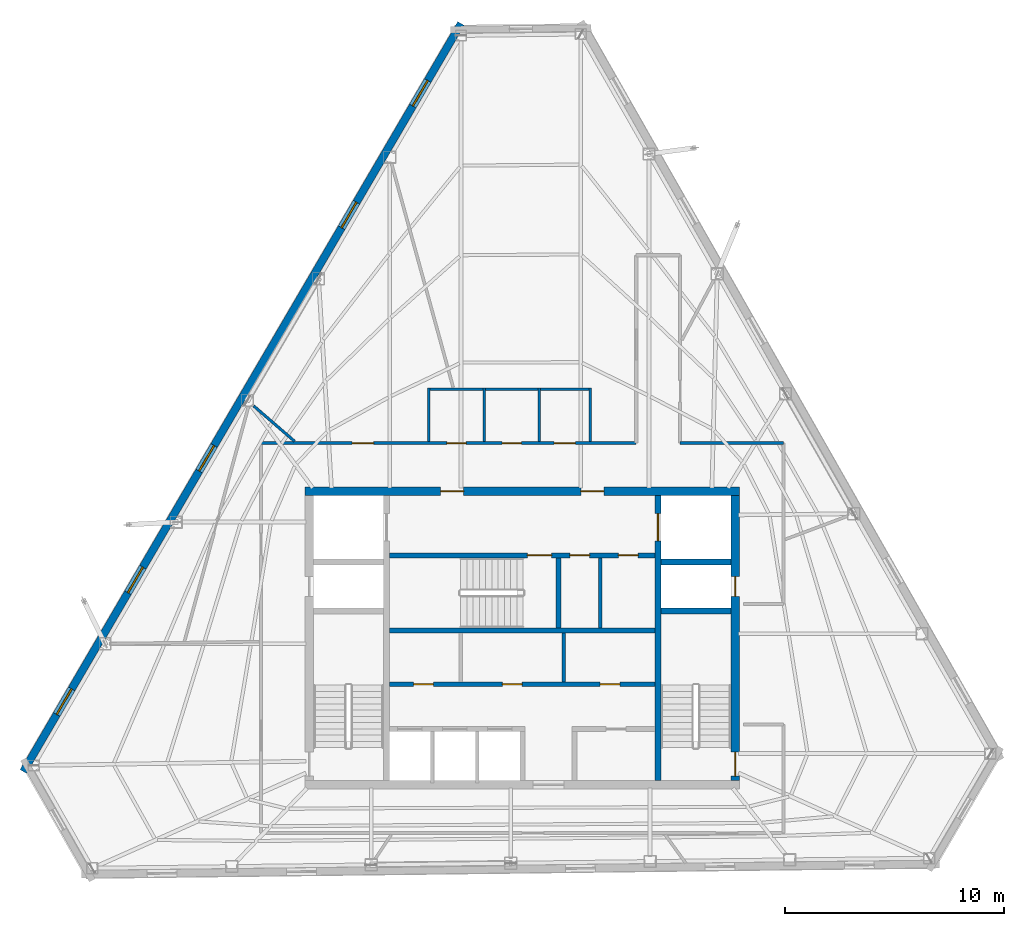
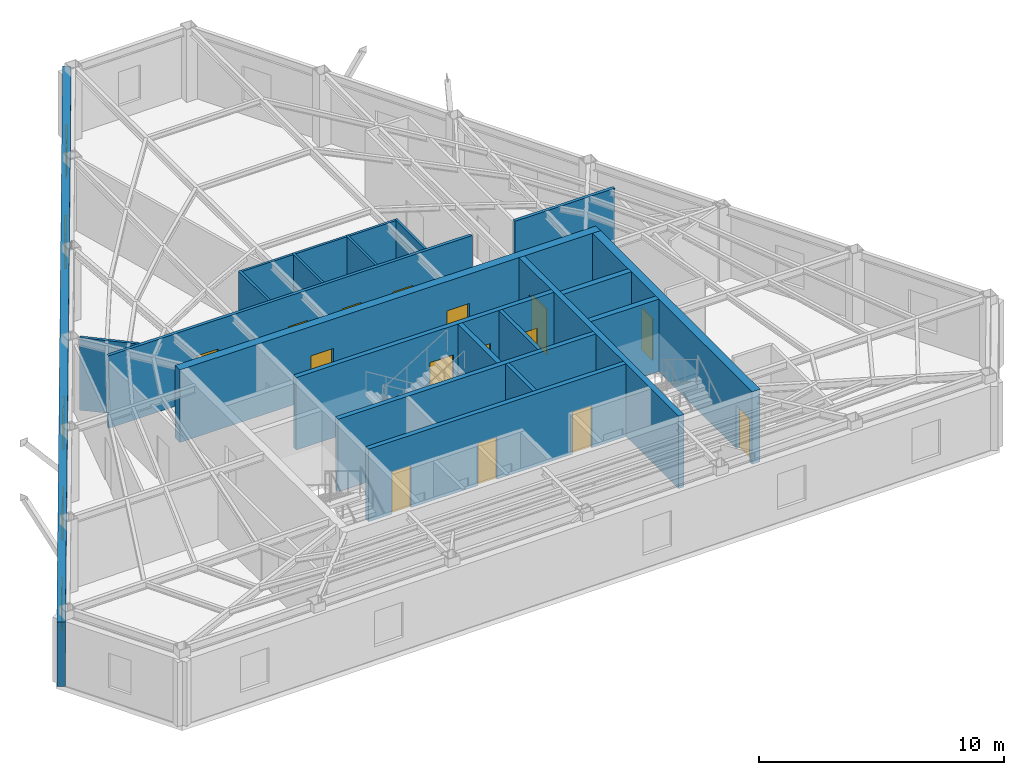
# One storey, part 8 of 10: 20 walls, 15 doors, 5 windows, 20 openings.
"""IFC4 building model written with IfcOpenShell, lengths in metres."""

from ifc_helpers import new_model, si_unit, direction, frame, frame_2d, origin, place, context, subcontext, project, spatial, rectangle, extrude, material, layer, layer_set, type_object, element, fill, save


model = new_model("IFC4")

# Units and contexts
model_context = context("Model", 3, precision=1e-05, world=origin(), true_north=direction((0.0, 1.0)))
body_context = subcontext(model_context, "Body", "Model", "MODEL_VIEW")
ifc_project = project(units=[si_unit("LENGTHUNIT", "METRE"), si_unit("AREAUNIT", "SQUARE_METRE"), si_unit("VOLUMEUNIT", "CUBIC_METRE"), si_unit("PLANEANGLEUNIT", "RADIAN"), si_unit("MASSUNIT", "GRAM", prefix="KILO")], contexts=[model_context])

# Site, building, storey
site_placement = place(None, origin())
site = spatial("IfcSite", under=ifc_project, at=site_placement, CompositionType="ELEMENT")
building_placement = place(site_placement, origin())
building = spatial("IfcBuilding", under=site, at=building_placement, Name="Kavelnor Concourse Tower", CompositionType="ELEMENT")
storey_placement = place(building_placement, frame((0.0, 0.0, 289.550048828125)))
storey = spatial("IfcBuildingStorey", under=building, at=storey_placement, Name="L73", CompositionType="ELEMENT", Elevation=289.550048828125)

# Wall, openings, doors
ifc_material_1 = material(Name="Concrete C50/60", Category="concrete")
ifc_layer_1 = layer(ifc_material_1, 0.3798828125, Name="Concrete C50/60")
ifc_layer_set_1 = layer_set([ifc_layer_1], Name="Concrete C50/60")
wall_type_1 = type_object("IfcWallType", Name="WL-CORE-Z4-380", PredefinedType="SOLIDWALL", material=ifc_layer_set_1)
wall_1_placement = place(storey_placement, frame((28.10009765625, 22.7900390625, 0.0), z_axis=(0.0, 0.0, 1.0), x_axis=(1.0, 0.0, 0.0)))
wall_1 = element("IfcWall", 1, at=wall_1_placement, inside=storey, type_object=wall_type_1, Name="L73 Central Core North Shear Wall", PredefinedType="SOLIDWALL", context=body_context, shape_type="SweptSolid", body=[
    extrude(rectangle(XDim=19.7998046875, YDim=0.3798828125, at=frame_2d((9.89990234375, 0.0))), origin(), (0.0, 0.0, 1.0), 3.60986328125),
])
opening_1_placement = place(wall_1_placement, frame((6.175048828125, 0.0, 0.0)))
opening_1 = element("IfcOpeningElement", 2, at=opening_1_placement, cuts=wall_1, Name="Opening FD-105", PredefinedType="OPENING", context=body_context, shape_type="SweptSolid", body=[
    extrude(rectangle(XDim=1.050048828125, YDim=2.14990234375, at=frame_2d((0.52490234375, 1.074951171875))), frame((0.0, 0.199951171875, 0.0), z_axis=(0.0, -1.0, 0.0), x_axis=(1.0, 0.0, 0.0)), (0.0, 0.0, 1.0), 0.39990234375),
])
opening_2_placement = place(wall_1_placement, frame((12.574951171875, 0.0, 0.0)))
opening_2 = element("IfcOpeningElement", 3, at=opening_2_placement, cuts=wall_1, Name="Opening FD-105", PredefinedType="OPENING", context=body_context, shape_type="SweptSolid", body=[
    extrude(rectangle(XDim=1.050048828125, YDim=2.14990234375, at=frame_2d((0.52490234375, 1.074951171875))), frame((0.0, 0.199951171875, 0.0), z_axis=(0.0, -1.0, 0.0), x_axis=(1.0, 0.0, 0.0)), (0.0, 0.0, 1.0), 0.39990234375),
])
ifc_material_2 = material(Name="Steel Grade 350", Category="steel")
door_type_1 = type_object("IfcDoorType", Name="DR-LOBBY-FIRE-1050", OperationType="NOTDEFINED", PredefinedType="DOOR", material=ifc_material_2)
door_1_placement = place(opening_1_placement, origin())
door_1 = element("IfcDoor", 4, at=door_1_placement, inside=storey, type_object=door_type_1, Name="L73 Emergency Lift Lobby West Door", OperationType="SINGLE_SWING_LEFT", OverallHeight=2.14990234375, OverallWidth=1.050048828125, PredefinedType="DOOR", context=body_context, shape_type="SweptSolid", body=[
    extrude(rectangle(XDim=1.050048828125, YDim=2.14990234375, at=frame_2d((0.52490234375, 1.074951171875))), frame((0.0, 0.02490234375, 0.0), z_axis=(0.0, -1.0, 0.0), x_axis=(1.0, 0.0, 0.0)), (0.0, 0.0, 1.0), 0.050048828125),
])
fill(opening_1, door_1)
door_2_placement = place(opening_2_placement, origin())
door_2 = element("IfcDoor", 5, at=door_2_placement, inside=storey, type_object=door_type_1, Name="L73 Emergency Lift Lobby East Door", OperationType="SINGLE_SWING_RIGHT", OverallHeight=2.14990234375, OverallWidth=1.050048828125, PredefinedType="DOOR", context=body_context, shape_type="SweptSolid", body=[
    extrude(rectangle(XDim=1.050048828125, YDim=2.14990234375, at=frame_2d((0.52490234375, 1.074951171875))), frame((0.0, 0.02490234375, 0.0), z_axis=(0.0, -1.0, 0.0), x_axis=(1.0, 0.0, 0.0)), (0.0, 0.0, 1.0), 0.050048828125),
])
fill(opening_2, door_2)

wall_2_placement = place(storey_placement, frame((47.7099609375, 9.60009765625, 0.0), z_axis=(0.0, 0.0, 1.0), x_axis=(0.0, 1.0, 0.0)))
wall_2 = element("IfcWall", 6, at=wall_2_placement, inside=storey, type_object=wall_type_1, Name="L73 Central Core East Shear Wall", PredefinedType="SOLIDWALL", context=body_context, shape_type="SweptSolid", body=[
    extrude(rectangle(XDim=13.0, YDim=0.3798828125, at=frame_2d((6.5, 0.0))), origin(), (0.0, 0.0, 1.0), 3.60986328125),
])
opening_3_placement = place(wall_2_placement, frame((0.199951171875, 0.0, 0.0)))
opening_3 = element("IfcOpeningElement", 7, at=opening_3_placement, cuts=wall_2, Name="Opening FD-110", PredefinedType="OPENING", context=body_context, shape_type="SweptSolid", body=[
    extrude(rectangle(XDim=1.10009765625, YDim=2.14990234375, at=frame_2d((0.550048828125, 1.074951171875))), frame((0.0, 0.199951171875, 0.0), z_axis=(0.0, -1.0, 0.0), x_axis=(1.0, 0.0, 0.0)), (0.0, 0.0, 1.0), 0.39990234375),
])
opening_4_placement = place(wall_2_placement, frame((8.39990234375, 0.0, 0.0)))
opening_4 = element("IfcOpeningElement", 8, at=opening_4_placement, cuts=wall_2, Name="Opening FD-090", PredefinedType="OPENING", context=body_context, shape_type="SweptSolid", body=[
    extrude(rectangle(XDim=0.89990234375, YDim=2.10009765625, at=frame_2d((0.449951171875, 1.050048828125))), frame((0.0, 0.199951171875, 0.0), z_axis=(0.0, -1.0, 0.0), x_axis=(1.0, 0.0, 0.0)), (0.0, 0.0, 1.0), 0.39990234375),
])
door_type_2 = type_object("IfcDoorType", Name="DR-RISER-FIRE-900", OperationType="NOTDEFINED", PredefinedType="DOOR", material=ifc_material_2)
door_3_placement = place(opening_4_placement, origin())
door_3 = element("IfcDoor", 9, at=door_3_placement, inside=storey, type_object=door_type_2, Name="L73 East Riser Access Door", OperationType="SINGLE_SWING_LEFT", OverallHeight=2.10009765625, OverallWidth=0.89990234375, PredefinedType="DOOR", context=body_context, shape_type="SweptSolid", body=[
    extrude(rectangle(XDim=0.89990234375, YDim=2.10009765625, at=frame_2d((0.449951171875, 1.050048828125))), frame((0.0, 0.02490234375, 0.0), z_axis=(0.0, -1.0, 0.0), x_axis=(1.0, 0.0, 0.0)), (0.0, 0.0, 1.0), 0.050048828125),
])
fill(opening_4, door_3)
door_type_3 = type_object("IfcDoorType", Name="DR-STAIR-FIRE-1100", OperationType="NOTDEFINED", PredefinedType="DOOR", material=ifc_material_2)
door_4_placement = place(opening_3_placement, origin())
door_4 = element("IfcDoor", 10, at=door_4_placement, inside=storey, type_object=door_type_3, Name="L73 Stair ST2 Fire Door", OperationType="SINGLE_SWING_RIGHT", OverallHeight=2.14990234375, OverallWidth=1.10009765625, PredefinedType="DOOR", context=body_context, shape_type="SweptSolid", body=[
    extrude(rectangle(XDim=1.10009765625, YDim=2.14990234375, at=frame_2d((0.550048828125, 1.074951171875))), frame((0.0, 0.02490234375, 0.0), z_axis=(0.0, -1.0, 0.0), x_axis=(1.0, 0.0, 0.0)), (0.0, 0.0, 1.0), 0.050048828125),
])
fill(opening_3, door_4)

# Wall, openings, windows
ifc_material_3 = material(Name="Red-ochre clay face brick masonry", Category="masonry")
ifc_layer_2 = layer(ifc_material_3, 0.35009765625, Name="Red-ochre clay face brick masonry")
ifc_layer_set_2 = layer_set([ifc_layer_2], Name="Red-ochre clay face brick masonry")
wall_type_2 = type_object("IfcWallType", Name="WL-EXT-RED-BRICK-PIER-350", PredefinedType="STANDARD", material=ifc_layer_set_2)
wall_3_placement = place(storey_placement, frame((15.251220703125, 10.013427734375, 0.0), z_axis=(0.0, 0.0, 1.0), x_axis=(0.505125442866, 0.863045935608, 0.0)))
wall_3 = element("IfcWall", 11, at=wall_3_placement, inside=storey, type_object=wall_type_2, Name="L73 Exterior Brick Facade Wall E1", PredefinedType="STANDARD", context=body_context, shape_type="SweptSolid", body=[
    extrude(rectangle(XDim=39.517333984375, YDim=0.35009765625, at=frame_2d((19.7587890625, 0.0))), origin(), (0.0, 0.0, 1.0), 3.196044921875),
])
opening_5_placement = place(wall_3_placement, frame((35.156982421875, 0.0, 0.64990234375)))
opening_5 = element("IfcOpeningElement", 12, at=opening_5_placement, cuts=wall_3, Name="Opening W-04", PredefinedType="OPENING", context=body_context, shape_type="SweptSolid", body=[
    extrude(rectangle(XDim=1.35009765625, YDim=1.75, at=frame_2d((0.675048828125, 0.875))), frame((0.0, 0.18505859375, 0.0), z_axis=(0.0, -1.0, 0.0), x_axis=(1.0, 0.0, 0.0)), (0.0, 0.0, 1.0), 0.3701171875),
])
opening_6_placement = place(wall_3_placement, frame((28.728759765625, 0.0, 0.64990234375)))
opening_6 = element("IfcOpeningElement", 13, at=opening_6_placement, cuts=wall_3, Name="Opening W-04", PredefinedType="OPENING", context=body_context, shape_type="SweptSolid", body=[
    extrude(rectangle(XDim=1.35009765625, YDim=1.75, at=frame_2d((0.675048828125, 0.875))), frame((0.0, 0.18505859375, 0.0), z_axis=(0.0, -1.0, 0.0), x_axis=(1.0, 0.0, 0.0)), (0.0, 0.0, 1.0), 0.3701171875),
])
opening_7_placement = place(wall_3_placement, frame((15.872314453125, 0.0, 0.64990234375)))
opening_7 = element("IfcOpeningElement", 14, at=opening_7_placement, cuts=wall_3, Name="Opening W-04", PredefinedType="OPENING", context=body_context, shape_type="SweptSolid", body=[
    extrude(rectangle(XDim=1.35009765625, YDim=1.75, at=frame_2d((0.675048828125, 0.875))), frame((0.0, 0.18505859375, 0.0), z_axis=(0.0, -1.0, 0.0), x_axis=(1.0, 0.0, 0.0)), (0.0, 0.0, 1.0), 0.3701171875),
])
opening_8_placement = place(wall_3_placement, frame((9.4443359375, 0.0, 0.64990234375)))
opening_8 = element("IfcOpeningElement", 15, at=opening_8_placement, cuts=wall_3, Name="Opening W-04", PredefinedType="OPENING", context=body_context, shape_type="SweptSolid", body=[
    extrude(rectangle(XDim=1.35009765625, YDim=1.75, at=frame_2d((0.675048828125, 0.875))), frame((0.0, 0.18505859375, 0.0), z_axis=(0.0, -1.0, 0.0), x_axis=(1.0, 0.0, 0.0)), (0.0, 0.0, 1.0), 0.3701171875),
])
opening_9_placement = place(wall_3_placement, frame((3.01611328125, 0.0, 0.64990234375)))
opening_9 = element("IfcOpeningElement", 16, at=opening_9_placement, cuts=wall_3, Name="Opening W-04", PredefinedType="OPENING", context=body_context, shape_type="SweptSolid", body=[
    extrude(rectangle(XDim=1.35009765625, YDim=1.75, at=frame_2d((0.675048828125, 0.875))), frame((0.0, 0.18505859375, 0.0), z_axis=(0.0, -1.0, 0.0), x_axis=(1.0, 0.0, 0.0)), (0.0, 0.0, 1.0), 0.3701171875),
])
ifc_material_4 = material(Name="Double low-E argon insulated glazing", Category="glass")
window_type = type_object("IfcWindowType", Name="WIN-PIER-Z4-1350", PartitioningType="SINGLE_PANEL", PredefinedType="WINDOW", material=ifc_material_4)
window_1_placement = place(opening_5_placement, origin())
window_1 = element("IfcWindow", 17, at=window_1_placement, inside=storey, type_object=window_type, Name="L73 Deep-Set Brick Pier Window F0-B0", OverallHeight=1.75, OverallWidth=1.35009765625, PartitioningType="SINGLE_PANEL", PredefinedType="WINDOW", context=body_context, shape_type="SweptSolid", body=[
    extrude(rectangle(XDim=1.35009765625, YDim=1.75, at=frame_2d((0.675048828125, 0.875))), frame((0.0, 0.030029296875, 0.0), z_axis=(0.0, -1.0, 0.0), x_axis=(1.0, 0.0, 0.0)), (0.0, 0.0, 1.0), 0.06005859375),
])
fill(opening_5, window_1)
window_2_placement = place(opening_6_placement, origin())
window_2 = element("IfcWindow", 18, at=window_2_placement, inside=storey, type_object=window_type, Name="L73 Deep-Set Brick Pier Window F0-B1", OverallHeight=1.75, OverallWidth=1.35009765625, PartitioningType="SINGLE_PANEL", PredefinedType="WINDOW", context=body_context, shape_type="SweptSolid", body=[
    extrude(rectangle(XDim=1.35009765625, YDim=1.75, at=frame_2d((0.675048828125, 0.875))), frame((0.0, 0.030029296875, 0.0), z_axis=(0.0, -1.0, 0.0), x_axis=(1.0, 0.0, 0.0)), (0.0, 0.0, 1.0), 0.06005859375),
])
fill(opening_6, window_2)
window_3_placement = place(opening_7_placement, origin())
window_3 = element("IfcWindow", 19, at=window_3_placement, inside=storey, type_object=window_type, Name="L73 Deep-Set Brick Pier Window F0-B3", OverallHeight=1.75, OverallWidth=1.35009765625, PartitioningType="SINGLE_PANEL", PredefinedType="WINDOW", context=body_context, shape_type="SweptSolid", body=[
    extrude(rectangle(XDim=1.35009765625, YDim=1.75, at=frame_2d((0.675048828125, 0.875))), frame((0.0, 0.030029296875, 0.0), z_axis=(0.0, -1.0, 0.0), x_axis=(1.0, 0.0, 0.0)), (0.0, 0.0, 1.0), 0.06005859375),
])
fill(opening_7, window_3)
window_4_placement = place(opening_8_placement, origin())
window_4 = element("IfcWindow", 20, at=window_4_placement, inside=storey, type_object=window_type, Name="L73 Deep-Set Brick Pier Window F0-B4", OverallHeight=1.75, OverallWidth=1.35009765625, PartitioningType="SINGLE_PANEL", PredefinedType="WINDOW", context=body_context, shape_type="SweptSolid", body=[
    extrude(rectangle(XDim=1.35009765625, YDim=1.75, at=frame_2d((0.675048828125, 0.875))), frame((0.0, 0.030029296875, 0.0), z_axis=(0.0, -1.0, 0.0), x_axis=(1.0, 0.0, 0.0)), (0.0, 0.0, 1.0), 0.06005859375),
])
fill(opening_8, window_4)
window_5_placement = place(opening_9_placement, origin())
window_5 = element("IfcWindow", 21, at=window_5_placement, inside=storey, type_object=window_type, Name="L73 Deep-Set Brick Pier Window F0-B5", OverallHeight=1.75, OverallWidth=1.35009765625, PartitioningType="SINGLE_PANEL", PredefinedType="WINDOW", context=body_context, shape_type="SweptSolid", body=[
    extrude(rectangle(XDim=1.35009765625, YDim=1.75, at=frame_2d((0.675048828125, 0.875))), frame((0.0, 0.030029296875, 0.0), z_axis=(0.0, -1.0, 0.0), x_axis=(1.0, 0.0, 0.0)), (0.0, 0.0, 1.0), 0.06005859375),
])
fill(opening_9, window_5)

# Wall
ifc_material_5 = material(Name="Gypsum plasterboard on light-gauge steel studs", Category="steel")
ifc_layer_3 = layer(ifc_material_5, 0.14501953125, Name="Gypsum plasterboard on light-gauge steel studs")
ifc_layer_set_3 = layer_set([ifc_layer_3], Name="Gypsum plasterboard on light-gauge steel studs")
wall_type_3 = type_object("IfcWallType", Name="WL-INT-CORR-145", PredefinedType="PARTITIONING", material=ifc_layer_set_3)
wall_4_placement = place(storey_placement, frame((45.199951171875, 24.989990234375, 0.0), z_axis=(0.0, 0.0, 1.0), x_axis=(1.0, 0.0, 0.0)))
element("IfcWall", 22, at=wall_4_placement, inside=storey, type_object=wall_type_3, Name="L73 Corridor Wall WL-L73-CR-04", PredefinedType="PARTITIONING", context=body_context, shape_type="SweptSolid", body=[
    extrude(rectangle(XDim=4.7099609375, YDim=0.14501953125, at=frame_2d((2.35498046875, 0.0))), origin(), (0.0, 0.0, 1.0), 3.60986328125),
])

# Wall, openings, doors
wall_5_placement = place(storey_placement, frame((26.090087890625, 24.989990234375, 0.0), z_axis=(0.0, 0.0, 1.0), x_axis=(1.0, 0.0, 0.0)))
wall_5 = element("IfcWall", 23, at=wall_5_placement, inside=storey, type_object=wall_type_3, Name="L73 Corridor Wall WL-L73-CR-11", PredefinedType="PARTITIONING", context=body_context, shape_type="SweptSolid", body=[
    extrude(rectangle(XDim=17.10986328125, YDim=0.14501953125, at=frame_2d((8.554931640625, 0.0))), origin(), (0.0, 0.0, 1.0), 3.60986328125),
])
opening_10_placement = place(wall_5_placement, frame((8.469970703125, 0.0, 0.0)))
opening_10 = element("IfcOpeningElement", 24, at=opening_10_placement, cuts=wall_5, Name="Opening WD-088", PredefinedType="OPENING", context=body_context, shape_type="SweptSolid", body=[
    extrude(rectangle(XDim=0.8798828125, YDim=2.10009765625, at=frame_2d((0.43994140625, 1.050048828125))), frame((0.0, 0.08251953125, 0.0), z_axis=(0.0, -1.0, 0.0), x_axis=(1.0, 0.0, 0.0)), (0.0, 0.0, 1.0), 0.1650390625),
])
opening_11_placement = place(wall_5_placement, frame((10.989990234375, 0.0, 0.0)))
opening_11 = element("IfcOpeningElement", 25, at=opening_11_placement, cuts=wall_5, Name="Opening WD-088", PredefinedType="OPENING", context=body_context, shape_type="SweptSolid", body=[
    extrude(rectangle(XDim=0.8798828125, YDim=2.10009765625, at=frame_2d((0.43994140625, 1.050048828125))), frame((0.0, 0.08251953125, 0.0), z_axis=(0.0, -1.0, 0.0), x_axis=(1.0, 0.0, 0.0)), (0.0, 0.0, 1.0), 0.1650390625),
])
opening_12_placement = place(wall_5_placement, frame((13.3701171875, 0.0, 0.0)))
opening_12 = element("IfcOpeningElement", 26, at=opening_12_placement, cuts=wall_5, Name="Opening WD-096", PredefinedType="OPENING", context=body_context, shape_type="SweptSolid", body=[
    extrude(rectangle(XDim=0.9599609375, YDim=2.10009765625, at=frame_2d((0.47998046875, 1.050048828125))), frame((0.0, 0.08251953125, 0.0), z_axis=(0.0, -1.0, 0.0), x_axis=(1.0, 0.0, 0.0)), (0.0, 0.0, 1.0), 0.1650390625),
])
opening_13_placement = place(wall_5_placement, frame((4.156005859375, 0.0, 0.0)))
opening_13 = element("IfcOpeningElement", 27, at=opening_13_placement, cuts=wall_5, Name="Opening OD-098", PredefinedType="OPENING", context=body_context, shape_type="SweptSolid", body=[
    extrude(rectangle(XDim=0.97998046875, YDim=2.14990234375, at=frame_2d((0.489990234375, 1.074951171875))), frame((0.0, 0.08251953125, 0.0), z_axis=(0.0, -1.0, 0.0), x_axis=(1.0, 0.0, 0.0)), (0.0, 0.0, 1.0), 0.1650390625),
])
ifc_material_6 = material(Name="Solid-core hardwood timber", Category="wood")
door_type_4 = type_object("IfcDoorType", Name="DR-OFFICE-980", OperationType="NOTDEFINED", PredefinedType="DOOR", material=ifc_material_6)
door_5_placement = place(opening_13_placement, origin())
door_5 = element("IfcDoor", 28, at=door_5_placement, inside=storey, type_object=door_type_4, Name="L73 Executive Dining Room 03 Door", OperationType="SINGLE_SWING_LEFT", OverallHeight=2.14990234375, OverallWidth=0.97998046875, PredefinedType="DOOR", context=body_context, shape_type="SweptSolid", body=[
    extrude(rectangle(XDim=0.97998046875, YDim=2.14990234375, at=frame_2d((0.489990234375, 1.074951171875))), frame((0.0, 0.02490234375, 0.0), z_axis=(0.0, -1.0, 0.0), x_axis=(1.0, 0.0, 0.0)), (0.0, 0.0, 1.0), 0.050048828125),
])
fill(opening_13, door_5)
door_type_5 = type_object("IfcDoorType", Name="DR-WC-ACC-960", OperationType="NOTDEFINED", PredefinedType="DOOR", material=ifc_material_6)
door_6_placement = place(opening_12_placement, origin())
door_6 = element("IfcDoor", 29, at=door_6_placement, inside=storey, type_object=door_type_5, Name="L73 Accessible WC Door", OperationType="SINGLE_SWING_RIGHT", OverallHeight=2.10009765625, OverallWidth=0.9599609375, PredefinedType="DOOR", context=body_context, shape_type="SweptSolid", body=[
    extrude(rectangle(XDim=0.9599609375, YDim=2.10009765625, at=frame_2d((0.47998046875, 1.050048828125))), frame((0.0, 0.02490234375, 0.0), z_axis=(0.0, -1.0, 0.0), x_axis=(1.0, 0.0, 0.0)), (0.0, 0.0, 1.0), 0.050048828125),
])
fill(opening_12, door_6)
door_type_6 = type_object("IfcDoorType", Name="DR-WC-STD-880", OperationType="NOTDEFINED", PredefinedType="DOOR", material=ifc_material_6)
door_7_placement = place(opening_10_placement, origin())
door_7 = element("IfcDoor", 30, at=door_7_placement, inside=storey, type_object=door_type_6, Name="L73 Male WC Door", OperationType="SINGLE_SWING_RIGHT", OverallHeight=2.10009765625, OverallWidth=0.8798828125, PredefinedType="DOOR", context=body_context, shape_type="SweptSolid", body=[
    extrude(rectangle(XDim=0.8798828125, YDim=2.10009765625, at=frame_2d((0.43994140625, 1.050048828125))), frame((0.0, 0.02490234375, 0.0), z_axis=(0.0, -1.0, 0.0), x_axis=(1.0, 0.0, 0.0)), (0.0, 0.0, 1.0), 0.050048828125),
])
fill(opening_10, door_7)
door_8_placement = place(opening_11_placement, origin())
door_8 = element("IfcDoor", 31, at=door_8_placement, inside=storey, type_object=door_type_6, Name="L73 Female WC Door", OperationType="SINGLE_SWING_LEFT", OverallHeight=2.10009765625, OverallWidth=0.8798828125, PredefinedType="DOOR", context=body_context, shape_type="SweptSolid", body=[
    extrude(rectangle(XDim=0.8798828125, YDim=2.10009765625, at=frame_2d((0.43994140625, 1.050048828125))), frame((0.0, 0.02490234375, 0.0), z_axis=(0.0, -1.0, 0.0), x_axis=(1.0, 0.0, 0.0)), (0.0, 0.0, 1.0), 0.050048828125),
])
fill(opening_11, door_8)

# Walls
ifc_layer_4 = layer(ifc_material_5, 0.1650390625, Name="Gypsum plasterboard on light-gauge steel studs")
ifc_layer_set_4 = layer_set([ifc_layer_4], Name="Gypsum plasterboard on light-gauge steel studs")
wall_type_4 = type_object("IfcWallType", Name="WL-INT-FIRE-165", PredefinedType="PARTITIONING", material=ifc_layer_set_4)
wall_6_placement = place(storey_placement, frame((39.89990234375, 14.10009765625, 0.0), z_axis=(0.0, 0.0, 1.0), x_axis=(0.0, 1.0, 0.0)))
element("IfcWall", 32, at=wall_6_placement, inside=storey, type_object=wall_type_4, Name="L73 Reclaimed Core Partition B", PredefinedType="PARTITIONING", context=body_context, shape_type="SweptSolid", body=[
    extrude(rectangle(XDim=2.239990234375, YDim=0.1650390625, at=frame_2d((1.1201171875, 0.0))), origin(), (0.0, 0.0, 1.0), 3.60986328125),
])
wall_7_placement = place(storey_placement, frame((41.550048828125, 16.56005859375, 0.0), z_axis=(0.0, 0.0, 1.0), x_axis=(0.0, 1.0, 0.0)))
element("IfcWall", 33, at=wall_7_placement, inside=storey, type_object=wall_type_4, Name="L73 Core North Support Divider", PredefinedType="PARTITIONING", context=body_context, shape_type="SweptSolid", body=[
    extrude(rectangle(XDim=3.199951171875, YDim=0.1650390625, at=frame_2d((1.60009765625, 0.0))), origin(), (0.0, 0.0, 1.0), 3.60986328125),
])
ifc_layer_5 = layer(ifc_material_5, 0.125, Name="Gypsum plasterboard on light-gauge steel studs")
ifc_layer_set_5 = layer_set([ifc_layer_5], Name="Gypsum plasterboard on light-gauge steel studs")
wall_type_5 = type_object("IfcWallType", Name="WL-INT-SUITE-125", PredefinedType="PARTITIONING", material=ifc_layer_set_5)
wall_8_placement = place(storey_placement, frame((27.62060546875, 25.070556640625, 0.0), z_axis=(0.0, 0.0, 1.0), x_axis=(-0.75660930935, 0.653867228881, 0.0)))
element("IfcWall", 34, at=wall_8_placement, inside=storey, type_object=wall_type_5, Name="L73 Radial Suite Partition 04", PredefinedType="PARTITIONING", context=body_context, shape_type="SweptSolid", body=[
    extrude(rectangle(XDim=2.466552734375, YDim=0.125, at=frame_2d((1.2333984375, 0.0))), origin(), (0.0, 0.0, 1.0), 3.60986328125),
])
ifc_layer_6 = layer(ifc_material_5, 0.110107421875, Name="Gypsum plasterboard on light-gauge steel studs")
ifc_layer_set_6 = layer_set([ifc_layer_6], Name="Gypsum plasterboard on light-gauge steel studs")
wall_type_6 = type_object("IfcWallType", Name="WL-INT-WC-110", PredefinedType="PLUMBINGWALL", material=ifc_layer_set_6)
for number, where, z_axis, x_axis, name in (
    (35, (33.739990234375, 25.06005859375, 0.0), (0.0, 0.0, 1.0), (0.0, 1.0, 0.0), "L73 Sanitary Partition WL-L73-WC-W"),
    (36, (36.260009765625, 25.06005859375, 0.0), (0.0, 0.0, 1.0), (0.0, 1.0, 0.0), "L73 Sanitary Partition WL-L73-WC-D1"),
    (37, (38.780029296875, 25.06005859375, 0.0), (0.0, 0.0, 1.0), (0.0, 1.0, 0.0), "L73 Sanitary Partition WL-L73-WC-D2"),
    (38, (41.10009765625, 25.06005859375, 0.0), (0.0, 0.0, 1.0), (0.0, 1.0, 0.0), "L73 Sanitary Partition WL-L73-WC-E"),
):
    element("IfcWall", number, at=place(storey_placement, frame(where, z_axis=z_axis, x_axis=x_axis)), inside=storey, type_object=wall_type_6, Name=name, PredefinedType="PLUMBINGWALL", context=body_context, shape_type="SweptSolid", body=[
        extrude(rectangle(XDim=2.43994140625, YDim=0.110107421875, at=frame_2d((1.219970703125, 0.0))), origin(), (0.0, 0.0, 1.0), 3.60986328125),
    ])
wall_9_placement = place(storey_placement, frame((33.68994140625, 27.43994140625, 0.0), z_axis=(0.0, 0.0, 1.0), x_axis=(1.0, 0.0, 0.0)))
element("IfcWall", 39, at=wall_9_placement, inside=storey, type_object=wall_type_6, Name="L73 Sanitary Partition WL-L73-WC-N", PredefinedType="PLUMBINGWALL", context=body_context, shape_type="SweptSolid", body=[
    extrude(rectangle(XDim=7.4599609375, YDim=0.110107421875, at=frame_2d((3.72998046875, 0.0))), origin(), (0.0, 0.0, 1.0), 3.60986328125),
])

# Wall, openings, doors
ifc_layer_7 = layer(ifc_material_1, 0.219970703125, Name="Concrete C50/60")
ifc_layer_set_7 = layer_set([ifc_layer_7], Name="Concrete C50/60")
wall_type_7 = type_object("IfcWallType", Name="WL-SHAFT-220", PredefinedType="SOLIDWALL", material=ifc_layer_set_7)
wall_10_placement = place(storey_placement, frame((31.93994140625, 19.8701171875, 0.0), z_axis=(0.0, 0.0, 1.0), x_axis=(1.0, 0.0, 0.0)))
wall_10 = element("IfcWall", 40, at=wall_10_placement, inside=storey, type_object=wall_type_7, Name="L73 Emergency Lift Lobby South Wall", PredefinedType="SOLIDWALL", context=body_context, shape_type="SweptSolid", body=[
    extrude(rectangle(XDim=12.1201171875, YDim=0.219970703125, at=frame_2d((6.06005859375, 0.0))), origin(), (0.0, 0.0, 1.0), 3.60986328125),
])
opening_14_placement = place(wall_10_placement, frame((6.300048828125, 0.0, 0.0)))
opening_14 = element("IfcOpeningElement", 41, at=opening_14_placement, cuts=wall_10, Name="Opening FD-110", PredefinedType="OPENING", context=body_context, shape_type="SweptSolid", body=[
    extrude(rectangle(XDim=1.10009765625, YDim=2.14990234375, at=frame_2d((0.550048828125, 1.074951171875))), frame((0.0, 0.1201171875, 0.0), z_axis=(0.0, -1.0, 0.0), x_axis=(1.0, 0.0, 0.0)), (0.0, 0.0, 1.0), 0.239990234375),
])
opening_15_placement = place(wall_10_placement, frame((8.22998046875, 0.0, 0.0)))
opening_15 = element("IfcOpeningElement", 42, at=opening_15_placement, cuts=wall_10, Name="Opening FD-090", PredefinedType="OPENING", context=body_context, shape_type="SweptSolid", body=[
    extrude(rectangle(XDim=0.89990234375, YDim=2.10009765625, at=frame_2d((0.449951171875, 1.050048828125))), frame((0.0, 0.1201171875, 0.0), z_axis=(0.0, -1.0, 0.0), x_axis=(1.0, 0.0, 0.0)), (0.0, 0.0, 1.0), 0.239990234375),
])
opening_16_placement = place(wall_10_placement, frame((10.449951171875, 0.0, 0.0)))
opening_16 = element("IfcOpeningElement", 43, at=opening_16_placement, cuts=wall_10, Name="Opening FD-090", PredefinedType="OPENING", context=body_context, shape_type="SweptSolid", body=[
    extrude(rectangle(XDim=0.89990234375, YDim=2.10009765625, at=frame_2d((0.449951171875, 1.050048828125))), frame((0.0, 0.1201171875, 0.0), z_axis=(0.0, -1.0, 0.0), x_axis=(1.0, 0.0, 0.0)), (0.0, 0.0, 1.0), 0.239990234375),
])
door_9_placement = place(opening_15_placement, origin())
door_9 = element("IfcDoor", 44, at=door_9_placement, inside=storey, type_object=door_type_2, Name="L73 Telecom Room Door", OperationType="SINGLE_SWING_LEFT", OverallHeight=2.10009765625, OverallWidth=0.89990234375, PredefinedType="DOOR", context=body_context, shape_type="SweptSolid", body=[
    extrude(rectangle(XDim=0.89990234375, YDim=2.10009765625, at=frame_2d((0.449951171875, 1.050048828125))), frame((0.0, 0.02490234375, 0.0), z_axis=(0.0, -1.0, 0.0), x_axis=(1.0, 0.0, 0.0)), (0.0, 0.0, 1.0), 0.050048828125),
])
fill(opening_15, door_9)
door_10_placement = place(opening_16_placement, origin())
door_10 = element("IfcDoor", 45, at=door_10_placement, inside=storey, type_object=door_type_2, Name="L73 Janitor Store Door", OperationType="SINGLE_SWING_RIGHT", OverallHeight=2.10009765625, OverallWidth=0.89990234375, PredefinedType="DOOR", context=body_context, shape_type="SweptSolid", body=[
    extrude(rectangle(XDim=0.89990234375, YDim=2.10009765625, at=frame_2d((0.449951171875, 1.050048828125))), frame((0.0, 0.02490234375, 0.0), z_axis=(0.0, -1.0, 0.0), x_axis=(1.0, 0.0, 0.0)), (0.0, 0.0, 1.0), 0.050048828125),
])
fill(opening_16, door_10)
door_11_placement = place(opening_14_placement, origin())
door_11 = element("IfcDoor", 46, at=door_11_placement, inside=storey, type_object=door_type_3, Name="L73 Stair ST3 Fire Door", OperationType="SINGLE_SWING_LEFT", OverallHeight=2.14990234375, OverallWidth=1.10009765625, PredefinedType="DOOR", context=body_context, shape_type="SweptSolid", body=[
    extrude(rectangle(XDim=1.10009765625, YDim=2.14990234375, at=frame_2d((0.550048828125, 1.074951171875))), frame((0.0, 0.02490234375, 0.0), z_axis=(0.0, -1.0, 0.0), x_axis=(1.0, 0.0, 0.0)), (0.0, 0.0, 1.0), 0.050048828125),
])
fill(opening_14, door_11)

# Walls
wall_11_placement = place(storey_placement, frame((31.93994140625, 16.449951171875, 0.0), z_axis=(0.0, 0.0, 1.0), x_axis=(1.0, 0.0, 0.0)))
element("IfcWall", 47, at=wall_11_placement, inside=storey, type_object=wall_type_7, Name="L73 Stair ST3 South Core Wall", PredefinedType="SOLIDWALL", context=body_context, shape_type="SweptSolid", body=[
    extrude(rectangle(XDim=12.1201171875, YDim=0.219970703125, at=frame_2d((6.06005859375, 0.0))), origin(), (0.0, 0.0, 1.0), 3.60986328125),
])
wall_12_placement = place(storey_placement, frame((39.64990234375, 16.56005859375, 0.0), z_axis=(0.0, 0.0, 1.0), x_axis=(0.0, 1.0, 0.0)))
element("IfcWall", 48, at=wall_12_placement, inside=storey, type_object=wall_type_7, Name="L73 Stair ST3 East Core Wall", PredefinedType="SOLIDWALL", context=body_context, shape_type="SweptSolid", body=[
    extrude(rectangle(XDim=3.199951171875, YDim=0.219970703125, at=frame_2d((1.60009765625, 0.0))), origin(), (0.0, 0.0, 1.0), 3.60986328125),
])

# Wall, openings, doors
wall_13_placement = place(storey_placement, frame((31.93994140625, 13.989990234375, 0.0), z_axis=(0.0, 0.0, 1.0), x_axis=(1.0, 0.0, 0.0)))
wall_13 = element("IfcWall", 49, at=wall_13_placement, inside=storey, type_object=wall_type_7, Name="L73 North Lift Row Shaft Wall", PredefinedType="SOLIDWALL", context=body_context, shape_type="SweptSolid", body=[
    extrude(rectangle(XDim=12.1201171875, YDim=0.219970703125, at=frame_2d((6.06005859375, 0.0))), origin(), (0.0, 0.0, 1.0), 3.60986328125),
])
opening_17_placement = place(wall_13_placement, frame((1.110107421875, 0.0, 0.0)))
opening_17 = element("IfcOpeningElement", 50, at=opening_17_placement, cuts=wall_13, Name="Opening FD-090", PredefinedType="OPENING", context=body_context, shape_type="SweptSolid", body=[
    extrude(rectangle(XDim=0.89990234375, YDim=2.10009765625, at=frame_2d((0.449951171875, 1.050048828125))), frame((0.0, 0.1201171875, 0.0), z_axis=(0.0, -1.0, 0.0), x_axis=(1.0, 0.0, 0.0)), (0.0, 0.0, 1.0), 0.239990234375),
])
opening_18_placement = place(wall_13_placement, frame((5.159912109375, 0.0, 0.0)))
opening_18 = element("IfcOpeningElement", 51, at=opening_18_placement, cuts=wall_13, Name="Opening FD-090", PredefinedType="OPENING", context=body_context, shape_type="SweptSolid", body=[
    extrude(rectangle(XDim=0.89990234375, YDim=2.10009765625, at=frame_2d((0.449951171875, 1.050048828125))), frame((0.0, 0.1201171875, 0.0), z_axis=(0.0, -1.0, 0.0), x_axis=(1.0, 0.0, 0.0)), (0.0, 0.0, 1.0), 0.239990234375),
])
opening_19_placement = place(wall_13_placement, frame((9.610107421875, 0.0, 0.0)))
opening_19 = element("IfcOpeningElement", 52, at=opening_19_placement, cuts=wall_13, Name="Opening FD-090", PredefinedType="OPENING", context=body_context, shape_type="SweptSolid", body=[
    extrude(rectangle(XDim=0.89990234375, YDim=2.10009765625, at=frame_2d((0.449951171875, 1.050048828125))), frame((0.0, 0.1201171875, 0.0), z_axis=(0.0, -1.0, 0.0), x_axis=(1.0, 0.0, 0.0)), (0.0, 0.0, 1.0), 0.239990234375),
])
door_12_placement = place(opening_17_placement, origin())
door_12 = element("IfcDoor", 53, at=door_12_placement, inside=storey, type_object=door_type_2, Name="L73 Reclaimed Core Door A", OperationType="SINGLE_SWING_RIGHT", OverallHeight=2.10009765625, OverallWidth=0.89990234375, PredefinedType="DOOR", context=body_context, shape_type="SweptSolid", body=[
    extrude(rectangle(XDim=0.89990234375, YDim=2.10009765625, at=frame_2d((0.449951171875, 1.050048828125))), frame((0.0, 0.02490234375, 0.0), z_axis=(0.0, -1.0, 0.0), x_axis=(1.0, 0.0, 0.0)), (0.0, 0.0, 1.0), 0.050048828125),
])
fill(opening_17, door_12)
door_13_placement = place(opening_18_placement, origin())
door_13 = element("IfcDoor", 54, at=door_13_placement, inside=storey, type_object=door_type_2, Name="L73 Reclaimed Core Door B", OperationType="SINGLE_SWING_LEFT", OverallHeight=2.10009765625, OverallWidth=0.89990234375, PredefinedType="DOOR", context=body_context, shape_type="SweptSolid", body=[
    extrude(rectangle(XDim=0.89990234375, YDim=2.10009765625, at=frame_2d((0.449951171875, 1.050048828125))), frame((0.0, 0.02490234375, 0.0), z_axis=(0.0, -1.0, 0.0), x_axis=(1.0, 0.0, 0.0)), (0.0, 0.0, 1.0), 0.050048828125),
])
fill(opening_18, door_13)
door_14_placement = place(opening_19_placement, origin())
door_14 = element("IfcDoor", 55, at=door_14_placement, inside=storey, type_object=door_type_2, Name="L73 Reclaimed Core Door C", OperationType="SINGLE_SWING_RIGHT", OverallHeight=2.10009765625, OverallWidth=0.89990234375, PredefinedType="DOOR", context=body_context, shape_type="SweptSolid", body=[
    extrude(rectangle(XDim=0.89990234375, YDim=2.10009765625, at=frame_2d((0.449951171875, 1.050048828125))), frame((0.0, 0.02490234375, 0.0), z_axis=(0.0, -1.0, 0.0), x_axis=(1.0, 0.0, 0.0)), (0.0, 0.0, 1.0), 0.050048828125),
])
fill(opening_19, door_14)

# Wall, opening, door
ifc_layer_8 = layer(ifc_material_1, 0.260009765625, Name="Concrete C50/60")
ifc_layer_set_8 = layer_set([ifc_layer_8], Name="Concrete C50/60")
wall_type_8 = type_object("IfcWallType", Name="WL-SHAFT-260", PredefinedType="SHEAR", material=ifc_layer_set_8)
wall_14_placement = place(storey_placement, frame((44.18994140625, 9.60009765625, 0.0), z_axis=(0.0, 0.0, 1.0), x_axis=(0.0, 1.0, 0.0)))
wall_14 = element("IfcWall", 56, at=wall_14_placement, inside=storey, type_object=wall_type_8, Name="L73 Core East Wing Shear Wall", PredefinedType="SHEAR", context=body_context, shape_type="SweptSolid", body=[
    extrude(rectangle(XDim=13.0, YDim=0.260009765625, at=frame_2d((6.5, 0.0))), origin(), (0.0, 0.0, 1.0), 3.60986328125),
])
opening_20_placement = place(wall_14_placement, frame((10.925048828125, 0.0, 0.0)))
opening_20 = element("IfcOpeningElement", 57, at=opening_20_placement, cuts=wall_14, Name="Opening LD-125", PredefinedType="OPENING", context=body_context, shape_type="SweptSolid", body=[
    extrude(rectangle(XDim=1.25, YDim=2.25, at=frame_2d((0.625, 1.125))), frame((0.0, 0.14013671875, 0.0), z_axis=(0.0, -1.0, 0.0), x_axis=(1.0, 0.0, 0.0)), (0.0, 0.0, 1.0), 0.280029296875),
])
door_type_7 = type_object("IfcDoorType", Name="DR-LIFT-SLIDING-1250", OperationType="NOTDEFINED", PredefinedType="DOOR", material=ifc_material_2)
door_15_placement = place(opening_20_placement, origin())
door_15 = element("IfcDoor", 58, at=door_15_placement, inside=storey, type_object=door_type_7, Name="L73 Emergency Lift FL2 Landing Door", OperationType="DOUBLE_DOOR_SLIDING", OverallHeight=2.25, OverallWidth=1.25, PredefinedType="DOOR", context=body_context, shape_type="SweptSolid", body=[
    extrude(rectangle(XDim=1.25, YDim=2.25, at=frame_2d((0.625, 1.125))), frame((0.0, 0.02490234375, 0.0), z_axis=(0.0, -1.0, 0.0), x_axis=(1.0, 0.0, 0.0)), (0.0, 0.0, 1.0), 0.050048828125),
])
fill(opening_20, door_15)

# Walls
for number, where, z_axis, x_axis, name in (
    (59, (44.320068359375, 17.330078125, 0.0), (0.0, 0.0, 1.0), (1.0, 0.0, 0.0), "L73 Stair ST2 North Shaft Wall"),
    (60, (44.320068359375, 19.570068359375, 0.0), (0.0, 0.0, 1.0), (1.0, 0.0, 0.0), "L73 Emergency Lift FL2 South Shaft Wall"),
):
    element("IfcWall", number, at=place(storey_placement, frame(where, z_axis=z_axis, x_axis=x_axis)), inside=storey, type_object=wall_type_8, Name=name, PredefinedType="SHEAR", context=body_context, shape_type="SweptSolid", body=[
        extrude(rectangle(XDim=3.199951171875, YDim=0.260009765625, at=frame_2d((1.60009765625, 0.0))), origin(), (0.0, 0.0, 1.0), 3.60986328125),
    ])

save(model, "model.ifc")
